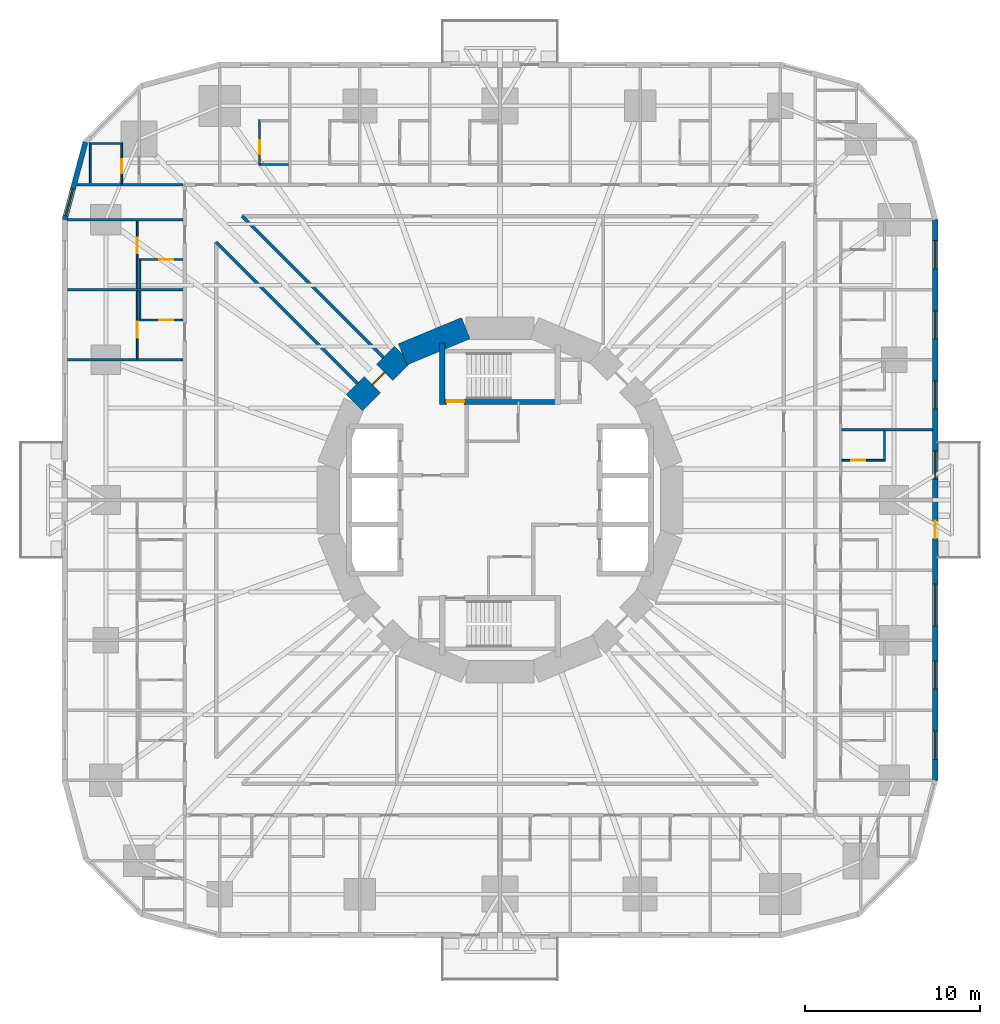
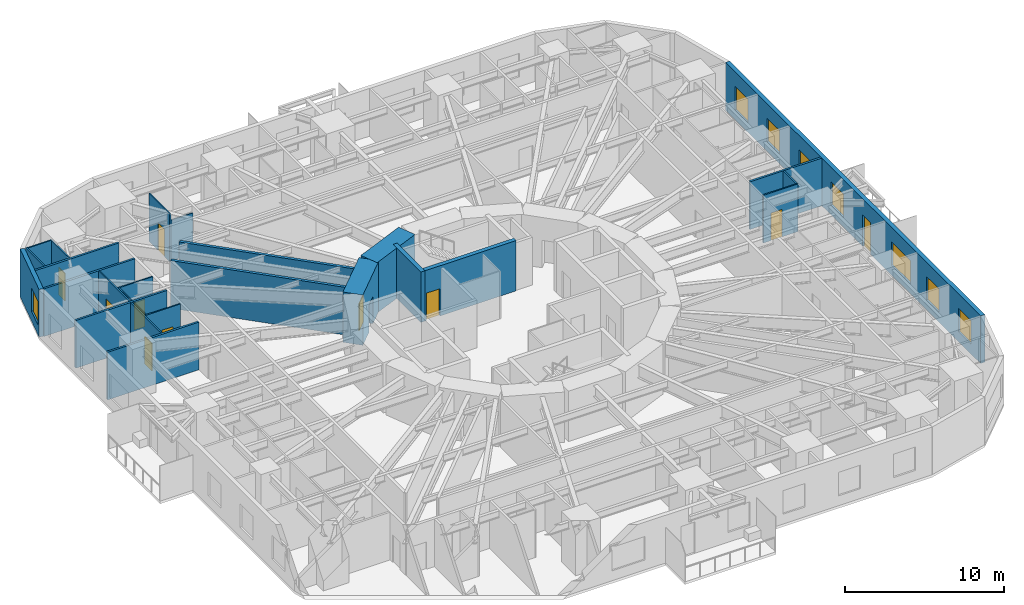
# One storey, part 9 of 14: 26 walls, 10 doors, 8 windows, 18 openings.
"""IFC4 building model written with IfcOpenShell, lengths in metres."""

from ifc_helpers import new_model, si_unit, direction, frame, frame_2d, origin, place, context, subcontext, project, spatial, rectangle, extrude, material, layer, layer_set, type_object, element, fill, save


model = new_model("IFC4")

# Units and contexts
model_context = context("Model", 3, precision=1e-05, world=origin(), true_north=direction((0.0, 1.0)))
body_context = subcontext(model_context, "Body", "Model", "MODEL_VIEW")
ifc_project = project(units=[si_unit("LENGTHUNIT", "METRE"), si_unit("AREAUNIT", "SQUARE_METRE"), si_unit("VOLUMEUNIT", "CUBIC_METRE"), si_unit("PLANEANGLEUNIT", "RADIAN"), si_unit("MASSUNIT", "GRAM", prefix="KILO")], contexts=[model_context])

# Site, building, storey
site_placement = place(None, origin())
site = spatial("IfcSite", under=ifc_project, at=site_placement, CompositionType="ELEMENT")
building_placement = place(site_placement, origin())
building = spatial("IfcBuilding", under=site, at=building_placement, Name="Nakasero Lantern House", CompositionType="ELEMENT")
storey_placement = place(building_placement, frame((0.0, 0.0, 42.949951171875)))
storey = spatial("IfcBuildingStorey", under=building, at=storey_placement, Name="L10", CompositionType="ELEMENT", Elevation=42.949951171875)

# Wall, opening, door
ifc_material_1 = material(Name="Concrete C50/60", Category="concrete")
ifc_layer_1 = layer(ifc_material_1, 0.300048828125)
ifc_layer_set_1 = layer_set([ifc_layer_1], Name="Core inner wall 300")
wall_type_1 = type_object("IfcWallType", Name="Core inner wall 300", PredefinedType="SHEAR", material=ifc_layer_set_1)
wall_1_placement = place(storey_placement, frame((-3.449951171875, 5.60009765625, 0.0), z_axis=(0.0, 0.0, 1.0), x_axis=(1.0, 0.0, 0.0)))
wall_1 = element("IfcWall", 1, at=wall_1_placement, inside=storey, type_object=wall_type_1, Name="Core inner wall L10 SN", PredefinedType="SHEAR", context=body_context, shape_type="SweptSolid", body=[
    extrude(rectangle(XDim=6.89990234375, YDim=0.300048828125, at=frame_2d((3.449951171875, 0.0))), origin(), (0.0, 0.0, 1.0), 3.85009765625),
])
opening_1_placement = place(wall_1_placement, frame((0.39990234375, 0.0, 0.0)))
opening_1 = element("IfcOpeningElement", 2, at=opening_1_placement, cuts=wall_1, Name="Opening D05", PredefinedType="OPENING", context=body_context, shape_type="SweptSolid", body=[
    extrude(rectangle(XDim=1.0, YDim=2.10009765625, at=frame_2d((0.5, 1.050048828125))), frame((0.0, 0.169921875, 0.0), z_axis=(0.0, -1.0, 0.0), x_axis=(1.0, 0.0, 0.0)), (0.0, 0.0, 1.0), 0.340087890625),
])
ifc_material_2 = material(Name="Timber C24", Category="wood")
door_type_1 = type_object("IfcDoorType", Name="Core door FD60S 1000", OperationType="SINGLE_SWING_LEFT", PredefinedType="DOOR", material=ifc_material_2)
door_1_placement = place(opening_1_placement, origin())
door_1 = element("IfcDoor", 3, at=door_1_placement, inside=storey, type_object=door_type_1, Name="Door L10 D-ST1", OperationType="SINGLE_SWING_LEFT", OverallHeight=2.10009765625, OverallWidth=1.0, PredefinedType="DOOR", context=body_context, shape_type="SweptSolid", body=[
    extrude(rectangle(XDim=1.0, YDim=2.10009765625, at=frame_2d((0.5, 1.050048828125))), frame((0.0, 0.02490234375, 0.0), z_axis=(0.0, -1.0, 0.0), x_axis=(1.0, 0.0, 0.0)), (0.0, 0.0, 1.0), 0.050048828125),
])
fill(opening_1, door_1)

# Walls
wall_2_placement = place(storey_placement, frame((-3.300048828125, 5.449951171875, 0.0), z_axis=(0.0, 0.0, 1.0), x_axis=(0.0, 1.0, 0.0)))
element("IfcWall", 4, at=wall_2_placement, inside=storey, type_object=wall_type_1, Name="Core inner wall L10 SNW", PredefinedType="SHEAR", context=body_context, shape_type="SweptSolid", body=[
    extrude(rectangle(XDim=3.5, YDim=0.300048828125, at=frame_2d((1.75, 0.0))), origin(), (0.0, 0.0, 1.0), 3.85009765625),
])
ifc_material_3 = material(Name="Concrete C50/60", Category="concrete")
ifc_layer_2 = layer(ifc_material_3, 1.300048828125)
ifc_layer_set_2 = layer_set([ifc_layer_2], Name="Core wall 1300")
wall_type_2 = type_object("IfcWallType", Name="Core wall 1300", PredefinedType="SHEAR", material=ifc_layer_set_2)
wall_3_placement = place(storey_placement, frame((-1.950927734375, 9.807861328125, 0.0), z_axis=(0.0, 0.0, 1.0), x_axis=(-0.923876507187, -0.382690736062, 0.0)))
element("IfcWall", 5, at=wall_3_placement, inside=storey, type_object=wall_type_2, Name="Core wall L10 facet 5", PredefinedType="SHEAR", context=body_context, shape_type="SweptSolid", body=[
    extrude(rectangle(XDim=3.90185546875, YDim=1.300048828125, at=frame_2d((1.950927734375, 0.0))), origin(), (0.0, 0.0, 1.0), 3.85009765625),
])

# Wall, opening, door
wall_4_placement = place(storey_placement, frame((-5.5556640625, 8.314697265625, 0.0), z_axis=(0.0, 0.0, 1.0), x_axis=(-0.707106781187, -0.707106781187, 0.0)))
wall_4 = element("IfcWall", 6, at=wall_4_placement, inside=storey, type_object=wall_type_2, Name="Core wall L10 facet 6", PredefinedType="SHEAR", context=body_context, shape_type="SweptSolid", body=[
    extrude(rectangle(XDim=3.90185546875, YDim=1.300048828125, at=frame_2d((1.950927734375, 0.0))), origin(), (0.0, 0.0, 1.0), 3.85009765625),
])
opening_2_placement = place(wall_4_placement, frame((1.450927734375, 0.0, 0.0)))
opening_2 = element("IfcOpeningElement", 7, at=opening_2_placement, cuts=wall_4, Name="Opening D05", PredefinedType="OPENING", context=body_context, shape_type="SweptSolid", body=[
    extrude(rectangle(XDim=1.0, YDim=2.10009765625, at=frame_2d((0.5, 1.050048828125))), frame((0.0, 0.669921875, 0.0), z_axis=(0.0, -1.0, 0.0), x_axis=(1.0, 0.0, 0.0)), (0.0, 0.0, 1.0), 1.340087890625),
])
door_2_placement = place(opening_2_placement, origin())
door_2 = element("IfcDoor", 8, at=door_2_placement, inside=storey, type_object=door_type_1, Name="Door L10 D-CORE06", OperationType="SINGLE_SWING_LEFT", OverallHeight=2.10009765625, OverallWidth=1.0, PredefinedType="DOOR", context=body_context, shape_type="SweptSolid", body=[
    extrude(rectangle(XDim=1.0, YDim=2.10009765625, at=frame_2d((0.5, 1.050048828125))), frame((0.0, 0.02490234375, 0.0), z_axis=(0.0, -1.0, 0.0), x_axis=(1.0, 0.0, 0.0)), (0.0, 0.0, 1.0), 0.050048828125),
])
fill(opening_2, door_2)

# Walls
ifc_material_4 = material(Name="Blockwork", Category="masonry")
ifc_layer_3 = layer(ifc_material_4, 0.199951171875)
ifc_layer_set_3 = layer_set([ifc_layer_3], Name="Corridor wall 200")
wall_type_3 = type_object("IfcWallType", Name="Corridor wall 200", PredefinedType="PARTITIONING", material=ifc_layer_set_3)
for number, where, z_axis, x_axis, name in (
    (9, (-8.13720703125, 6.65234375, 0.0), (0.0, 0.0, 1.0), (-0.707106781187, 0.707106781187, 0.0), "Corridor wall L10 PS06a"),
    (10, (-6.65234375, 8.13720703125, 0.0), (0.0, 0.0, 1.0), (-0.707106781187, 0.707106781187, 0.0), "Corridor wall L10 PS06b"),
):
    element("IfcWall", number, at=place(storey_placement, frame(where, z_axis=z_axis, x_axis=x_axis)), inside=storey, type_object=wall_type_3, Name=name, PredefinedType="PARTITIONING", context=body_context, shape_type="SweptSolid", body=[
        extrude(rectangle(XDim=11.40234375, YDim=0.199951171875, at=frame_2d((5.701171875, 0.0))), origin(), (0.0, 0.0, 1.0), 3.650146484375),
    ])

# Wall, opening, door
ifc_material_5 = material(Name="Blockwork", Category="masonry")
ifc_layer_4 = layer(ifc_material_5, 0.10009765625)
ifc_layer_set_4 = layer_set([ifc_layer_4], Name="En-suite wall 100")
wall_type_4 = type_object("IfcWallType", Name="En-suite wall 100", PredefinedType="PARTITIONING", material=ifc_layer_set_4)
wall_5_placement = place(storey_placement, frame((19.5, 2.27490234375, 0.0), z_axis=(0.0, 0.0, 1.0), x_axis=(1.0, 0.0, 0.0)))
wall_5 = element("IfcWall", 11, at=wall_5_placement, inside=storey, type_object=wall_type_4, Name="En-suite wall L10 ES0-05", PredefinedType="PARTITIONING", context=body_context, shape_type="SweptSolid", body=[
    extrude(rectangle(XDim=2.5, YDim=0.10009765625, at=frame_2d((1.25, 0.0))), origin(), (0.0, 0.0, 1.0), 3.650146484375),
])
opening_3_placement = place(wall_5_placement, frame((0.550048828125, 0.0, 0.0)))
opening_3 = element("IfcOpeningElement", 12, at=opening_3_placement, cuts=wall_5, Name="Opening D02", PredefinedType="OPENING", context=body_context, shape_type="SweptSolid", body=[
    extrude(rectangle(XDim=0.800048828125, YDim=2.10009765625, at=frame_2d((0.39990234375, 1.050048828125))), frame((0.0, 0.070068359375, 0.0), z_axis=(0.0, -1.0, 0.0), x_axis=(1.0, 0.0, 0.0)), (0.0, 0.0, 1.0), 0.14013671875),
])
ifc_material_6 = material(Name="Timber C24", Category="wood")
door_type_2 = type_object("IfcDoorType", Name="En-suite door 800", OperationType="SINGLE_SWING_RIGHT", PredefinedType="DOOR", material=ifc_material_6)
door_3_placement = place(opening_3_placement, origin())
door_3 = element("IfcDoor", 13, at=door_3_placement, inside=storey, type_object=door_type_2, Name="Door L10 DE0-05", OperationType="SINGLE_SWING_LEFT", OverallHeight=2.10009765625, OverallWidth=0.800048828125, PredefinedType="DOOR", context=body_context, shape_type="SweptSolid", body=[
    extrude(rectangle(XDim=0.800048828125, YDim=2.10009765625, at=frame_2d((0.39990234375, 1.050048828125))), frame((0.0, 0.02490234375, 0.0), z_axis=(0.0, -1.0, 0.0), x_axis=(1.0, 0.0, 0.0)), (0.0, 0.0, 1.0), 0.050048828125),
])
fill(opening_3, door_3)

# Wall
wall_6_placement = place(storey_placement, frame((21.949951171875, 2.324951171875, 0.0), z_axis=(0.0, 0.0, 1.0), x_axis=(0.0, 1.0, 0.0)))
element("IfcWall", 14, at=wall_6_placement, inside=storey, type_object=wall_type_4, Name="En-suite wall L10 EE0-05", PredefinedType="PARTITIONING", context=body_context, shape_type="SweptSolid", body=[
    extrude(rectangle(XDim=1.60009765625, YDim=0.10009765625, at=frame_2d((0.800048828125, 0.0))), origin(), (0.0, 0.0, 1.0), 3.650146484375),
])

# Wall, opening, door
wall_7_placement = place(storey_placement, frame((-13.72509765625, 19.10009765625, 0.0), z_axis=(0.0, 0.0, 1.0), x_axis=(0.0, 1.0, 0.0)))
wall_7 = element("IfcWall", 15, at=wall_7_placement, inside=storey, type_object=wall_type_4, Name="En-suite wall L10 ES1-08", PredefinedType="PARTITIONING", context=body_context, shape_type="SweptSolid", body=[
    extrude(rectangle(XDim=2.599853515625, YDim=0.10009765625, at=frame_2d((1.2998046875, 0.0))), origin(), (0.0, 0.0, 1.0), 3.650146484375),
])
opening_4_placement = place(wall_7_placement, frame((0.64990234375, 0.0, 0.0)))
opening_4 = element("IfcOpeningElement", 16, at=opening_4_placement, cuts=wall_7, Name="Opening D02", PredefinedType="OPENING", context=body_context, shape_type="SweptSolid", body=[
    extrude(rectangle(XDim=0.800048828125, YDim=2.10009765625, at=frame_2d((0.39990234375, 1.050048828125))), frame((0.0, 0.070068359375, 0.0), z_axis=(0.0, -1.0, 0.0), x_axis=(1.0, 0.0, 0.0)), (0.0, 0.0, 1.0), 0.14013671875),
])
door_4_placement = place(opening_4_placement, origin())
door_4 = element("IfcDoor", 17, at=door_4_placement, inside=storey, type_object=door_type_2, Name="Door L10 DE1-08", OperationType="SINGLE_SWING_LEFT", OverallHeight=2.10009765625, OverallWidth=0.800048828125, PredefinedType="DOOR", context=body_context, shape_type="SweptSolid", body=[
    extrude(rectangle(XDim=0.800048828125, YDim=2.10009765625, at=frame_2d((0.39990234375, 1.050048828125))), frame((0.0, 0.02490234375, 0.0), z_axis=(0.0, -1.0, 0.0), x_axis=(1.0, 0.0, 0.0)), (0.0, 0.0, 1.0), 0.050048828125),
])
fill(opening_4, door_4)

# Wall
wall_8_placement = place(storey_placement, frame((-12.074951171875, 19.14990234375, 0.0), z_axis=(0.0, 0.0, 1.0), x_axis=(-1.0, 0.0, 0.0)))
element("IfcWall", 18, at=wall_8_placement, inside=storey, type_object=wall_type_4, Name="En-suite wall L10 EI1-08", PredefinedType="PARTITIONING", context=body_context, shape_type="SweptSolid", body=[
    extrude(rectangle(XDim=1.60009765625, YDim=0.10009765625, at=frame_2d((0.800048828125, 0.0))), origin(), (0.0, 0.0, 1.0), 3.121826171875),
])

# Wall, opening, door
wall_9_placement = place(storey_placement, frame((-21.59619140625, 18.06494140625, 0.0), z_axis=(0.0, 0.0, 1.0), x_axis=(0.0, 1.0, 0.0)))
wall_9 = element("IfcWall", 19, at=wall_9_placement, inside=storey, type_object=wall_type_4, Name="En-suite wall L10 ES1-09", PredefinedType="PARTITIONING", context=body_context, shape_type="SweptSolid", body=[
    extrude(rectangle(XDim=2.3349609375, YDim=0.10009765625, at=frame_2d((1.16748046875, 0.0))), origin(), (0.0, 0.0, 1.0), 3.650146484375),
])
opening_5_placement = place(wall_9_placement, frame((0.5849609375, 0.0, 0.0)))
opening_5 = element("IfcOpeningElement", 20, at=opening_5_placement, cuts=wall_9, Name="Opening D02", PredefinedType="OPENING", context=body_context, shape_type="SweptSolid", body=[
    extrude(rectangle(XDim=0.800048828125, YDim=2.10009765625, at=frame_2d((0.39990234375, 1.050048828125))), frame((0.0, 0.070068359375, 0.0), z_axis=(0.0, -1.0, 0.0), x_axis=(1.0, 0.0, 0.0)), (0.0, 0.0, 1.0), 0.14013671875),
])
door_5_placement = place(opening_5_placement, origin())
door_5 = element("IfcDoor", 21, at=door_5_placement, inside=storey, type_object=door_type_2, Name="Door L10 DE1-09", OperationType="SINGLE_SWING_LEFT", OverallHeight=2.10009765625, OverallWidth=0.800048828125, PredefinedType="DOOR", context=body_context, shape_type="SweptSolid", body=[
    extrude(rectangle(XDim=0.800048828125, YDim=2.10009765625, at=frame_2d((0.39990234375, 1.050048828125))), frame((0.0, 0.02490234375, 0.0), z_axis=(0.0, -1.0, 0.0), x_axis=(1.0, 0.0, 0.0)), (0.0, 0.0, 1.0), 0.050048828125),
])
fill(opening_5, door_5)

# Walls
wall_10_placement = place(storey_placement, frame((-21.646240234375, 20.35009765625, 0.0), z_axis=(0.0, 0.0, 1.0), x_axis=(-1.0, 0.0, 0.0)))
element("IfcWall", 22, at=wall_10_placement, inside=storey, type_object=wall_type_4, Name="En-suite wall L10 EE1-09", PredefinedType="PARTITIONING", context=body_context, shape_type="SweptSolid", body=[
    extrude(rectangle(XDim=1.699951171875, YDim=0.10009765625, at=frame_2d((0.85009765625, 0.0))), origin(), (0.0, 0.0, 1.0), 3.650146484375),
])
wall_11_placement = place(storey_placement, frame((-23.396240234375, 18.10009765625, 0.0), z_axis=(0.0, 0.0, 1.0), x_axis=(0.0, 1.0, 0.0)))
element("IfcWall", 23, at=wall_11_placement, inside=storey, type_object=wall_type_4, Name="En-suite wall L10 EV1-09", PredefinedType="PARTITIONING", context=body_context, shape_type="SweptSolid", body=[
    extrude(rectangle(XDim=2.2998046875, YDim=0.10009765625, at=frame_2d((1.14990234375, 0.0))), origin(), (0.0, 0.0, 1.0), 3.650146484375),
])

# Wall, opening, door
wall_12_placement = place(storey_placement, frame((-18.10009765625, 13.72509765625, 0.0), z_axis=(0.0, 0.0, 1.0), x_axis=(-1.0, 0.0, 0.0)))
wall_12 = element("IfcWall", 24, at=wall_12_placement, inside=storey, type_object=wall_type_4, Name="En-suite wall L10 ES2-01", PredefinedType="PARTITIONING", context=body_context, shape_type="SweptSolid", body=[
    extrude(rectangle(XDim=2.5, YDim=0.10009765625, at=frame_2d((1.25, 0.0))), origin(), (0.0, 0.0, 1.0), 3.650146484375),
])
opening_6_placement = place(wall_12_placement, frame((0.550048828125, 0.0, 0.0)))
opening_6 = element("IfcOpeningElement", 25, at=opening_6_placement, cuts=wall_12, Name="Opening D02", PredefinedType="OPENING", context=body_context, shape_type="SweptSolid", body=[
    extrude(rectangle(XDim=0.800048828125, YDim=2.10009765625, at=frame_2d((0.39990234375, 1.050048828125))), frame((0.0, 0.070068359375, 0.0), z_axis=(0.0, -1.0, 0.0), x_axis=(1.0, 0.0, 0.0)), (0.0, 0.0, 1.0), 0.14013671875),
])
door_6_placement = place(opening_6_placement, origin())
door_6 = element("IfcDoor", 26, at=door_6_placement, inside=storey, type_object=door_type_2, Name="Door L10 DE2-01", OperationType="SINGLE_SWING_LEFT", OverallHeight=2.10009765625, OverallWidth=0.800048828125, PredefinedType="DOOR", context=body_context, shape_type="SweptSolid", body=[
    extrude(rectangle(XDim=0.800048828125, YDim=2.10009765625, at=frame_2d((0.39990234375, 1.050048828125))), frame((0.0, 0.02490234375, 0.0), z_axis=(0.0, -1.0, 0.0), x_axis=(1.0, 0.0, 0.0)), (0.0, 0.0, 1.0), 0.050048828125),
])
fill(opening_6, door_6)

# Wall
wall_13_placement = place(storey_placement, frame((-20.550048828125, 13.675048828125, 0.0), z_axis=(0.0, 0.0, 1.0), x_axis=(0.0, -1.0, 0.0)))
element("IfcWall", 27, at=wall_13_placement, inside=storey, type_object=wall_type_4, Name="En-suite wall L10 EE2-01", PredefinedType="PARTITIONING", context=body_context, shape_type="SweptSolid", body=[
    extrude(rectangle(XDim=1.60009765625, YDim=0.10009765625, at=frame_2d((0.800048828125, 0.0))), origin(), (0.0, 0.0, 1.0), 3.650146484375),
])

# Wall, opening, door
wall_14_placement = place(storey_placement, frame((-18.10009765625, 10.27490234375, 0.0), z_axis=(0.0, 0.0, 1.0), x_axis=(-1.0, 0.0, 0.0)))
wall_14 = element("IfcWall", 28, at=wall_14_placement, inside=storey, type_object=wall_type_4, Name="En-suite wall L10 ES2-02", PredefinedType="PARTITIONING", context=body_context, shape_type="SweptSolid", body=[
    extrude(rectangle(XDim=2.5, YDim=0.10009765625, at=frame_2d((1.25, 0.0))), origin(), (0.0, 0.0, 1.0), 3.650146484375),
])
opening_7_placement = place(wall_14_placement, frame((0.550048828125, 0.0, 0.0)))
opening_7 = element("IfcOpeningElement", 29, at=opening_7_placement, cuts=wall_14, Name="Opening D02", PredefinedType="OPENING", context=body_context, shape_type="SweptSolid", body=[
    extrude(rectangle(XDim=0.800048828125, YDim=2.10009765625, at=frame_2d((0.39990234375, 1.050048828125))), frame((0.0, 0.070068359375, 0.0), z_axis=(0.0, -1.0, 0.0), x_axis=(1.0, 0.0, 0.0)), (0.0, 0.0, 1.0), 0.14013671875),
])
door_7_placement = place(opening_7_placement, origin())
door_7 = element("IfcDoor", 30, at=door_7_placement, inside=storey, type_object=door_type_2, Name="Door L10 DE2-02", OperationType="SINGLE_SWING_LEFT", OverallHeight=2.10009765625, OverallWidth=0.800048828125, PredefinedType="DOOR", context=body_context, shape_type="SweptSolid", body=[
    extrude(rectangle(XDim=0.800048828125, YDim=2.10009765625, at=frame_2d((0.39990234375, 1.050048828125))), frame((0.0, 0.02490234375, 0.0), z_axis=(0.0, -1.0, 0.0), x_axis=(1.0, 0.0, 0.0)), (0.0, 0.0, 1.0), 0.050048828125),
])
fill(opening_7, door_7)

# Wall
wall_15_placement = place(storey_placement, frame((-20.550048828125, 11.925048828125, 0.0), z_axis=(0.0, 0.0, 1.0), x_axis=(0.0, -1.0, 0.0)))
element("IfcWall", 31, at=wall_15_placement, inside=storey, type_object=wall_type_4, Name="En-suite wall L10 EE2-02", PredefinedType="PARTITIONING", context=body_context, shape_type="SweptSolid", body=[
    extrude(rectangle(XDim=1.60009765625, YDim=0.10009765625, at=frame_2d((0.800048828125, 0.0))), origin(), (0.0, 0.0, 1.0), 3.650146484375),
])

# Wall, opening, door
wall_16_placement = place(storey_placement, frame((-20.699951171875, 15.925048828125, 0.0), z_axis=(0.0, 0.0, 1.0), x_axis=(0.0, -1.0, 0.0)))
wall_16 = element("IfcWall", 32, at=wall_16_placement, inside=storey, type_object=wall_type_4, Name="En-suite wall L10 EL2-01", PredefinedType="PARTITIONING", context=body_context, shape_type="SweptSolid", body=[
    extrude(rectangle(XDim=3.85009765625, YDim=0.10009765625, at=frame_2d((1.925048828125, 0.0))), origin(), (0.0, 0.0, 1.0), 3.650146484375),
])
opening_8_placement = place(wall_16_placement, frame((0.949951171875, 0.0, 0.0)))
opening_8 = element("IfcOpeningElement", 33, at=opening_8_placement, cuts=wall_16, Name="Opening D17", PredefinedType="OPENING", context=body_context, shape_type="SweptSolid", body=[
    extrude(rectangle(XDim=0.89990234375, YDim=2.10009765625, at=frame_2d((0.449951171875, 1.050048828125))), frame((0.0, 0.070068359375, 0.0), z_axis=(0.0, -1.0, 0.0), x_axis=(1.0, 0.0, 0.0)), (0.0, 0.0, 1.0), 0.14013671875),
])
ifc_material_7 = material(Name="Timber C24", Category="wood")
door_type_3 = type_object("IfcDoorType", Name="Bedroom door FD30S 900", OperationType="SINGLE_SWING_LEFT", PredefinedType="DOOR", material=ifc_material_7)
door_8_placement = place(opening_8_placement, origin())
door_8 = element("IfcDoor", 34, at=door_8_placement, inside=storey, type_object=door_type_3, Name="Door L10 DL2-01", OperationType="SINGLE_SWING_LEFT", OverallHeight=2.10009765625, OverallWidth=0.89990234375, PredefinedType="DOOR", context=body_context, shape_type="SweptSolid", body=[
    extrude(rectangle(XDim=0.89990234375, YDim=2.10009765625, at=frame_2d((0.449951171875, 1.050048828125))), frame((0.0, 0.02490234375, 0.0), z_axis=(0.0, -1.0, 0.0), x_axis=(1.0, 0.0, 0.0)), (0.0, 0.0, 1.0), 0.050048828125),
])
fill(opening_8, door_8)

wall_17_placement = place(storey_placement, frame((-20.699951171875, 11.925048828125, 0.0), z_axis=(0.0, 0.0, 1.0), x_axis=(0.0, -1.0, 0.0)))
wall_17 = element("IfcWall", 35, at=wall_17_placement, inside=storey, type_object=wall_type_4, Name="En-suite wall L10 EL2-02", PredefinedType="PARTITIONING", context=body_context, shape_type="SweptSolid", body=[
    extrude(rectangle(XDim=3.85009765625, YDim=0.10009765625, at=frame_2d((1.925048828125, 0.0))), origin(), (0.0, 0.0, 1.0), 3.650146484375),
])
opening_9_placement = place(wall_17_placement, frame((1.75, 0.0, 0.0)))
opening_9 = element("IfcOpeningElement", 36, at=opening_9_placement, cuts=wall_17, Name="Opening D17", PredefinedType="OPENING", context=body_context, shape_type="SweptSolid", body=[
    extrude(rectangle(XDim=0.89990234375, YDim=2.10009765625, at=frame_2d((0.449951171875, 1.050048828125))), frame((0.0, 0.070068359375, 0.0), z_axis=(0.0, -1.0, 0.0), x_axis=(1.0, 0.0, 0.0)), (0.0, 0.0, 1.0), 0.14013671875),
])
door_9_placement = place(opening_9_placement, origin())
door_9 = element("IfcDoor", 37, at=door_9_placement, inside=storey, type_object=door_type_3, Name="Door L10 DL2-02", OperationType="SINGLE_SWING_RIGHT", OverallHeight=2.10009765625, OverallWidth=0.89990234375, PredefinedType="DOOR", context=body_context, shape_type="SweptSolid", body=[
    extrude(rectangle(XDim=0.89990234375, YDim=2.10009765625, at=frame_2d((0.449951171875, 1.050048828125))), frame((0.0, 0.02490234375, 0.0), z_axis=(0.0, -1.0, 0.0), x_axis=(1.0, 0.0, 0.0)), (0.0, 0.0, 1.0), 0.050048828125),
])
fill(opening_9, door_9)

# Wall, openings, door, windows
ifc_material_8 = material(Name="Aluminium rainscreen on blockwork", Category="masonry")
ifc_layer_5 = layer(ifc_material_8, 0.300048828125)
ifc_layer_set_5 = layer_set([ifc_layer_5], Name="Facade wall 300")
wall_type_5 = type_object("IfcWallType", Name="Facade wall 300", PredefinedType="SOLIDWALL", material=ifc_layer_set_5)
wall_18_placement = place(storey_placement, frame((24.85009765625, -16.0, 0.0), z_axis=(0.0, 0.0, 1.0), x_axis=(0.0, 1.0, 0.0)))
wall_18 = element("IfcWall", 38, at=wall_18_placement, inside=storey, type_object=wall_type_5, Name="Facade wall L10 FW0S", PredefinedType="SOLIDWALL", context=body_context, shape_type="SweptSolid", body=[
    extrude(rectangle(XDim=32.0, YDim=0.300048828125, at=frame_2d((16.0, 0.0))), origin(), (0.0, 0.0, 1.0), 3.650146484375),
])
opening_10_placement = place(wall_18_placement, frame((1.199951171875, 0.0, 0.75)))
opening_10 = element("IfcOpeningElement", 39, at=opening_10_placement, cuts=wall_18, Name="Opening W01", PredefinedType="OPENING", context=body_context, shape_type="SweptSolid", body=[
    extrude(rectangle(XDim=1.60009765625, YDim=1.800048828125, at=frame_2d((0.800048828125, 0.89990234375))), frame((0.0, 0.169921875, 0.0), z_axis=(0.0, -1.0, 0.0), x_axis=(1.0, 0.0, 0.0)), (0.0, 0.0, 1.0), 0.340087890625),
])
opening_11_placement = place(wall_18_placement, frame((5.199951171875, 0.0, 0.75)))
opening_11 = element("IfcOpeningElement", 40, at=opening_11_placement, cuts=wall_18, Name="Opening W01", PredefinedType="OPENING", context=body_context, shape_type="SweptSolid", body=[
    extrude(rectangle(XDim=1.60009765625, YDim=1.800048828125, at=frame_2d((0.800048828125, 0.89990234375))), frame((0.0, 0.169921875, 0.0), z_axis=(0.0, -1.0, 0.0), x_axis=(1.0, 0.0, 0.0)), (0.0, 0.0, 1.0), 0.340087890625),
])
opening_12_placement = place(wall_18_placement, frame((17.199951171875, 0.0, 0.75)))
opening_12 = element("IfcOpeningElement", 41, at=opening_12_placement, cuts=wall_18, Name="Opening W01", PredefinedType="OPENING", context=body_context, shape_type="SweptSolid", body=[
    extrude(rectangle(XDim=1.60009765625, YDim=1.800048828125, at=frame_2d((0.800048828125, 0.89990234375))), frame((0.0, 0.169921875, 0.0), z_axis=(0.0, -1.0, 0.0), x_axis=(1.0, 0.0, 0.0)), (0.0, 0.0, 1.0), 0.340087890625),
])
opening_13_placement = place(wall_18_placement, frame((21.199951171875, 0.0, 0.75)))
opening_13 = element("IfcOpeningElement", 42, at=opening_13_placement, cuts=wall_18, Name="Opening W01", PredefinedType="OPENING", context=body_context, shape_type="SweptSolid", body=[
    extrude(rectangle(XDim=1.60009765625, YDim=1.800048828125, at=frame_2d((0.800048828125, 0.89990234375))), frame((0.0, 0.169921875, 0.0), z_axis=(0.0, -1.0, 0.0), x_axis=(1.0, 0.0, 0.0)), (0.0, 0.0, 1.0), 0.340087890625),
])
opening_14_placement = place(wall_18_placement, frame((25.199951171875, 0.0, 0.75)))
opening_14 = element("IfcOpeningElement", 43, at=opening_14_placement, cuts=wall_18, Name="Opening W01", PredefinedType="OPENING", context=body_context, shape_type="SweptSolid", body=[
    extrude(rectangle(XDim=1.60009765625, YDim=1.800048828125, at=frame_2d((0.800048828125, 0.89990234375))), frame((0.0, 0.169921875, 0.0), z_axis=(0.0, -1.0, 0.0), x_axis=(1.0, 0.0, 0.0)), (0.0, 0.0, 1.0), 0.340087890625),
])
opening_15_placement = place(wall_18_placement, frame((29.199951171875, 0.0, 0.75)))
opening_15 = element("IfcOpeningElement", 44, at=opening_15_placement, cuts=wall_18, Name="Opening W01", PredefinedType="OPENING", context=body_context, shape_type="SweptSolid", body=[
    extrude(rectangle(XDim=1.60009765625, YDim=1.800048828125, at=frame_2d((0.800048828125, 0.89990234375))), frame((0.0, 0.169921875, 0.0), z_axis=(0.0, -1.0, 0.0), x_axis=(1.0, 0.0, 0.0)), (0.0, 0.0, 1.0), 0.340087890625),
])
opening_16_placement = place(wall_18_placement, frame((8.800048828125, 0.0, 0.75)))
opening_16 = element("IfcOpeningElement", 45, at=opening_16_placement, cuts=wall_18, Name="Opening W03", PredefinedType="OPENING", context=body_context, shape_type="SweptSolid", body=[
    extrude(rectangle(XDim=2.39990234375, YDim=1.800048828125, at=frame_2d((1.199951171875, 0.89990234375))), frame((0.0, 0.169921875, 0.0), z_axis=(0.0, -1.0, 0.0), x_axis=(1.0, 0.0, 0.0)), (0.0, 0.0, 1.0), 0.340087890625),
])
opening_17_placement = place(wall_18_placement, frame((13.8125, 0.0, 0.0)))
opening_17 = element("IfcOpeningElement", 46, at=opening_17_placement, cuts=wall_18, Name="Opening D04", PredefinedType="OPENING", context=body_context, shape_type="SweptSolid", body=[
    extrude(rectangle(XDim=1.0, YDim=2.39990234375, at=frame_2d((0.5, 1.199951171875))), frame((0.0, 0.169921875, 0.0), z_axis=(0.0, -1.0, 0.0), x_axis=(1.0, 0.0, 0.0)), (0.0, 0.0, 1.0), 0.340087890625),
])
ifc_material_9 = material(Name="Aluminium 6063-T6 and glass", Category="aluminium")
door_type_4 = type_object("IfcDoorType", Name="Balcony door 1000x2400", OperationType="SINGLE_SWING_RIGHT", PredefinedType="DOOR", material=ifc_material_9)
door_10_placement = place(opening_17_placement, origin())
door_10 = element("IfcDoor", 47, at=door_10_placement, inside=storey, type_object=door_type_4, Name="Balcony door L10 DB0", OperationType="SINGLE_SWING_RIGHT", OverallHeight=2.39990234375, OverallWidth=1.0, PredefinedType="DOOR", context=body_context, shape_type="SweptSolid", body=[
    extrude(rectangle(XDim=1.0, YDim=2.39990234375, at=frame_2d((0.5, 1.199951171875))), frame((0.0, 0.02490234375, 0.0), z_axis=(0.0, -1.0, 0.0), x_axis=(1.0, 0.0, 0.0)), (0.0, 0.0, 1.0), 0.050048828125),
])
fill(opening_17, door_10)
ifc_material_10 = material(Name="Aluminium 6063-T6 and glass", Category="aluminium")
window_type_1 = type_object("IfcWindowType", Name="Bedroom window 1600x1800", PartitioningType="SINGLE_PANEL", PredefinedType="WINDOW", material=ifc_material_10)
window_1_placement = place(opening_10_placement, origin())
window_1 = element("IfcWindow", 48, at=window_1_placement, inside=storey, type_object=window_type_1, Name="Window L10 WN0-01", OverallHeight=1.800048828125, OverallWidth=1.60009765625, PartitioningType="SINGLE_PANEL", PredefinedType="WINDOW", context=body_context, shape_type="SweptSolid", body=[
    extrude(rectangle(XDim=1.60009765625, YDim=1.800048828125, at=frame_2d((0.800048828125, 0.89990234375))), frame((0.0, 0.030029296875, 0.0), z_axis=(0.0, -1.0, 0.0), x_axis=(1.0, 0.0, 0.0)), (0.0, 0.0, 1.0), 0.06005859375),
])
fill(opening_10, window_1)
window_2_placement = place(opening_11_placement, origin())
window_2 = element("IfcWindow", 49, at=window_2_placement, inside=storey, type_object=window_type_1, Name="Window L10 WN0-02", OverallHeight=1.800048828125, OverallWidth=1.60009765625, PartitioningType="SINGLE_PANEL", PredefinedType="WINDOW", context=body_context, shape_type="SweptSolid", body=[
    extrude(rectangle(XDim=1.60009765625, YDim=1.800048828125, at=frame_2d((0.800048828125, 0.89990234375))), frame((0.0, 0.030029296875, 0.0), z_axis=(0.0, -1.0, 0.0), x_axis=(1.0, 0.0, 0.0)), (0.0, 0.0, 1.0), 0.06005859375),
])
fill(opening_11, window_2)
window_3_placement = place(opening_12_placement, origin())
window_3 = element("IfcWindow", 50, at=window_3_placement, inside=storey, type_object=window_type_1, Name="Window L10 WN0-05", OverallHeight=1.800048828125, OverallWidth=1.60009765625, PartitioningType="SINGLE_PANEL", PredefinedType="WINDOW", context=body_context, shape_type="SweptSolid", body=[
    extrude(rectangle(XDim=1.60009765625, YDim=1.800048828125, at=frame_2d((0.800048828125, 0.89990234375))), frame((0.0, 0.030029296875, 0.0), z_axis=(0.0, -1.0, 0.0), x_axis=(1.0, 0.0, 0.0)), (0.0, 0.0, 1.0), 0.06005859375),
])
fill(opening_12, window_3)
window_4_placement = place(opening_13_placement, origin())
window_4 = element("IfcWindow", 51, at=window_4_placement, inside=storey, type_object=window_type_1, Name="Window L10 WN0-06", OverallHeight=1.800048828125, OverallWidth=1.60009765625, PartitioningType="SINGLE_PANEL", PredefinedType="WINDOW", context=body_context, shape_type="SweptSolid", body=[
    extrude(rectangle(XDim=1.60009765625, YDim=1.800048828125, at=frame_2d((0.800048828125, 0.89990234375))), frame((0.0, 0.030029296875, 0.0), z_axis=(0.0, -1.0, 0.0), x_axis=(1.0, 0.0, 0.0)), (0.0, 0.0, 1.0), 0.06005859375),
])
fill(opening_13, window_4)
window_5_placement = place(opening_14_placement, origin())
window_5 = element("IfcWindow", 52, at=window_5_placement, inside=storey, type_object=window_type_1, Name="Window L10 WN0-07", OverallHeight=1.800048828125, OverallWidth=1.60009765625, PartitioningType="SINGLE_PANEL", PredefinedType="WINDOW", context=body_context, shape_type="SweptSolid", body=[
    extrude(rectangle(XDim=1.60009765625, YDim=1.800048828125, at=frame_2d((0.800048828125, 0.89990234375))), frame((0.0, 0.030029296875, 0.0), z_axis=(0.0, -1.0, 0.0), x_axis=(1.0, 0.0, 0.0)), (0.0, 0.0, 1.0), 0.06005859375),
])
fill(opening_14, window_5)
window_6_placement = place(opening_15_placement, origin())
window_6 = element("IfcWindow", 53, at=window_6_placement, inside=storey, type_object=window_type_1, Name="Window L10 WN0-08", OverallHeight=1.800048828125, OverallWidth=1.60009765625, PartitioningType="SINGLE_PANEL", PredefinedType="WINDOW", context=body_context, shape_type="SweptSolid", body=[
    extrude(rectangle(XDim=1.60009765625, YDim=1.800048828125, at=frame_2d((0.800048828125, 0.89990234375))), frame((0.0, 0.030029296875, 0.0), z_axis=(0.0, -1.0, 0.0), x_axis=(1.0, 0.0, 0.0)), (0.0, 0.0, 1.0), 0.06005859375),
])
fill(opening_15, window_6)
ifc_material_11 = material(Name="Aluminium 6063-T6 and glass", Category="aluminium")
window_type_2 = type_object("IfcWindowType", Name="Lounge window 2400x1800", PartitioningType="SINGLE_PANEL", PredefinedType="WINDOW", material=ifc_material_11)
window_7_placement = place(opening_16_placement, origin())
window_7 = element("IfcWindow", 54, at=window_7_placement, inside=storey, type_object=window_type_2, Name="Window L10 WK0", OverallHeight=1.800048828125, OverallWidth=2.39990234375, PartitioningType="SINGLE_PANEL", PredefinedType="WINDOW", context=body_context, shape_type="SweptSolid", body=[
    extrude(rectangle(XDim=2.39990234375, YDim=1.800048828125, at=frame_2d((1.199951171875, 0.89990234375))), frame((0.0, 0.030029296875, 0.0), z_axis=(0.0, -1.0, 0.0), x_axis=(1.0, 0.0, 0.0)), (0.0, 0.0, 1.0), 0.06005859375),
])
fill(opening_16, window_7)

# Wall, opening, window
wall_19_placement = place(storey_placement, frame((-23.664306640625, 20.425048828125, 0.0), z_axis=(0.0, 0.0, 1.0), x_axis=(-0.258839972501, -0.965920218567, 0.0)))
wall_19 = element("IfcWall", 55, at=wall_19_placement, inside=storey, type_object=wall_type_5, Name="Facade wall L10 FW1C3", PredefinedType="SOLIDWALL", context=body_context, shape_type="SweptSolid", body=[
    extrude(rectangle(XDim=4.5810546875, YDim=0.300048828125, at=frame_2d((2.29052734375, 0.0))), origin(), (0.0, 0.0, 1.0), 3.650146484375),
])
opening_18_placement = place(wall_19_placement, frame((2.74609375, 0.0, 0.75)))
opening_18 = element("IfcOpeningElement", 56, at=opening_18_placement, cuts=wall_19, Name="Opening W01", PredefinedType="OPENING", context=body_context, shape_type="SweptSolid", body=[
    extrude(rectangle(XDim=1.60009765625, YDim=1.800048828125, at=frame_2d((0.800048828125, 0.89990234375))), frame((0.0, 0.169921875, 0.0), z_axis=(0.0, -1.0, 0.0), x_axis=(1.0, 0.0, 0.0)), (0.0, 0.0, 1.0), 0.340087890625),
])
window_8_placement = place(opening_18_placement, origin())
window_8 = element("IfcWindow", 57, at=window_8_placement, inside=storey, type_object=window_type_1, Name="Window L10 WN2-00", OverallHeight=1.800048828125, OverallWidth=1.60009765625, PartitioningType="SINGLE_PANEL", PredefinedType="WINDOW", context=body_context, shape_type="SweptSolid", body=[
    extrude(rectangle(XDim=1.60009765625, YDim=1.800048828125, at=frame_2d((0.800048828125, 0.89990234375))), frame((0.0, 0.030029296875, 0.0), z_axis=(0.0, -1.0, 0.0), x_axis=(1.0, 0.0, 0.0)), (0.0, 0.0, 1.0), 0.06005859375),
])
fill(opening_18, window_8)

# Walls
ifc_material_12 = material(Name="Blockwork", Category="masonry")
ifc_layer_6 = layer(ifc_material_12, 0.14990234375)
ifc_layer_set_6 = layer_set([ifc_layer_6], Name="Party wall 150")
wall_type_6 = type_object("IfcWallType", Name="Party wall 150", PredefinedType="PARTITIONING", material=ifc_layer_set_6)
wall_20_placement = place(storey_placement, frame((19.5, 4.0, 0.0), z_axis=(0.0, 0.0, 1.0), x_axis=(1.0, 0.0, 0.0)))
element("IfcWall", 58, at=wall_20_placement, inside=storey, type_object=wall_type_6, Name="Party wall L10 PW0-06", PredefinedType="PARTITIONING", context=body_context, shape_type="SweptSolid", body=[
    extrude(rectangle(XDim=5.199951171875, YDim=0.14990234375, at=frame_2d((2.60009765625, 0.0))), origin(), (0.0, 0.0, 1.0), 3.650146484375),
])
wall_21_placement = place(storey_placement, frame((-18.10009765625, 18.0, 0.0), z_axis=(0.0, 0.0, 1.0), x_axis=(-1.0, 0.0, 0.0)))
element("IfcWall", 59, at=wall_21_placement, inside=storey, type_object=wall_type_6, Name="Party wall L10 PW2-00", PredefinedType="PARTITIONING", context=body_context, shape_type="SweptSolid", body=[
    extrude(rectangle(XDim=6.053466796875, YDim=0.14990234375, at=frame_2d((3.02685546875, 0.0))), origin(), (0.0, 0.0, 1.0), 3.650146484375),
])
wall_22_placement = place(storey_placement, frame((-18.10009765625, 16.0, 0.0), z_axis=(0.0, 0.0, 1.0), x_axis=(-1.0, 0.0, 0.0)))
element("IfcWall", 60, at=wall_22_placement, inside=storey, type_object=wall_type_6, Name="Party wall L10 PW2-01", PredefinedType="PARTITIONING", context=body_context, shape_type="SweptSolid", body=[
    extrude(rectangle(XDim=6.58935546875, YDim=0.14990234375, at=frame_2d((3.294677734375, 0.0))), origin(), (0.0, 0.0, 1.0), 3.650146484375),
])
for number, where, z_axis, x_axis, name in (
    (61, (-18.10009765625, 12.0, 0.0), (0.0, 0.0, 1.0), (-1.0, 0.0, 0.0), "Party wall L10 PW2-02"),
    (62, (-18.10009765625, 8.0, 0.0), (0.0, 0.0, 1.0), (-1.0, 0.0, 0.0), "Party wall L10 PW2-03"),
):
    element("IfcWall", number, at=place(storey_placement, frame(where, z_axis=z_axis, x_axis=x_axis)), inside=storey, type_object=wall_type_6, Name=name, PredefinedType="PARTITIONING", context=body_context, shape_type="SweptSolid", body=[
        extrude(rectangle(XDim=6.599853515625, YDim=0.14990234375, at=frame_2d((3.2998046875, 0.0))), origin(), (0.0, 0.0, 1.0), 3.650146484375),
    ])

save(model, "model.ifc")
